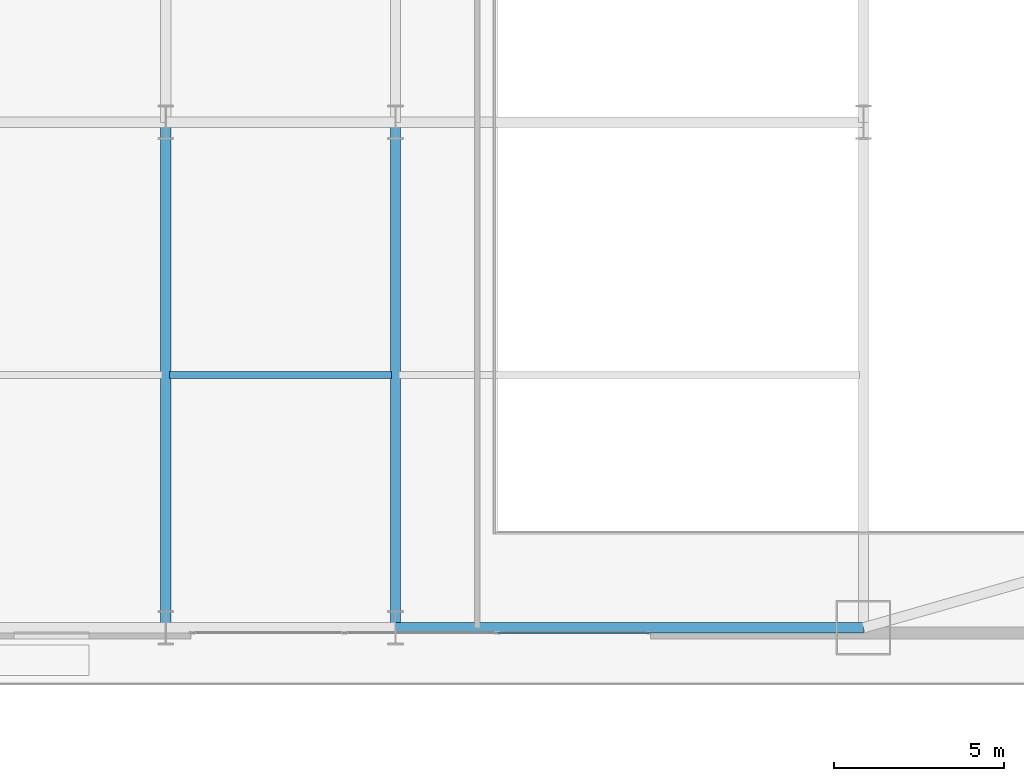
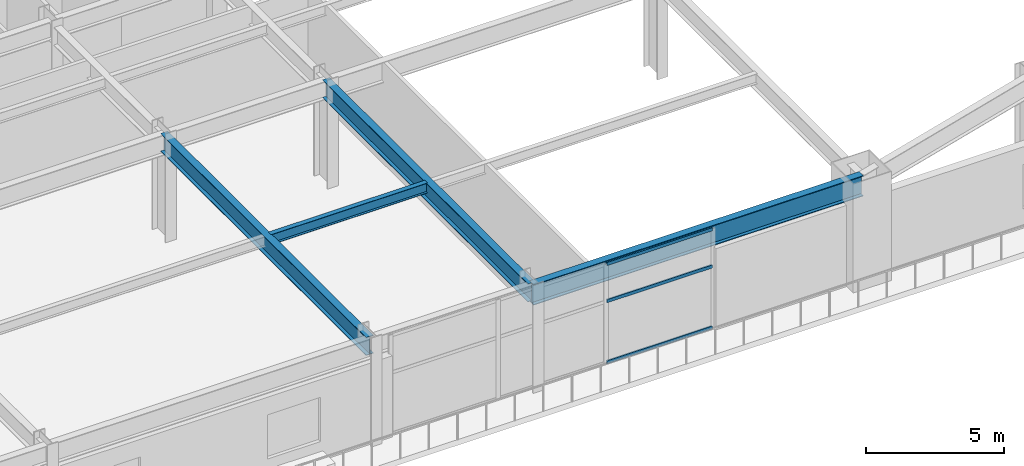
# One storey, part 5 of 28: 4 beams, 3 members, 1 element without a shape of its own.
"""IFC4 building model written with IfcOpenShell, lengths in metres."""

from ifc_helpers import new_model, si_unit, direction, frame, origin, origin_2d, place, context, subcontext, project, spatial, hollow_rectangle, i_section, extrude, material, layer, layer_set, material_profile, profile_set, type_object, element, aggregate, save


model = new_model("IFC4")

# Units and contexts
model_context = context("Model", 3, precision=1e-05, world=origin(), true_north=direction((0.0, 1.0)))
body_context = subcontext(model_context, "Body", "Model", "MODEL_VIEW")
ifc_project = project(units=[si_unit("LENGTHUNIT", "METRE"), si_unit("AREAUNIT", "SQUARE_METRE"), si_unit("VOLUMEUNIT", "CUBIC_METRE"), si_unit("PLANEANGLEUNIT", "RADIAN"), si_unit("MASSUNIT", "GRAM", prefix="KILO")], contexts=[model_context])

# Site, building, storey
site_placement = place(None, origin())
site = spatial("IfcSite", under=ifc_project, at=site_placement, CompositionType="ELEMENT")
building_placement = place(site_placement, origin())
building = spatial("IfcBuilding", under=site, at=building_placement, Name="Haevon Station Towers", CompositionType="ELEMENT")
storey_placement = place(building_placement, frame((0.0, 0.0, 10.800048828125)))
storey = spatial("IfcBuildingStorey", under=building, at=storey_placement, Name="L02", CompositionType="ELEMENT", Elevation=10.800048828125)

# Beams
ifc_material_1 = material(Name="Steel S355", Category="steel")
ifc_material_profile_1 = material_profile(ifc_material_1, i_section(OverallWidth=0.199951171875, OverallDepth=0.449951171875, WebThickness=0.009033203125, FlangeThickness=0.013916015625, at=origin_2d()), Name="H-450x200x9x14")
ifc_profile_set_1 = profile_set([ifc_material_profile_1], Name="Steel S355")
beam_type_1 = type_object("IfcBeamType", Name="BM-J450", PredefinedType="JOIST", material=ifc_profile_set_1)
beam_1_placement = place(storey_placement, frame((44.360107421875, 22.574951171875, 4.27490234375), z_axis=(1.0, 0.0, 0.0), x_axis=(0.0, 1.0, 0.0)))
element("IfcBeam", 1, at=beam_1_placement, inside=storey, type_object=beam_type_1, Name="BM-T1J-L02-01-04", PredefinedType="JOIST", context=body_context, shape_type="SweptSolid", body=[
    extrude(i_section(OverallWidth=0.199951171875, OverallDepth=0.449951171875, WebThickness=0.009033203125, FlangeThickness=0.013916015625, at=origin_2d()), origin(), (0.0, 0.0, 1.0), 6.52978515625),
])
ifc_material_profile_2 = material_profile(ifc_material_1, i_section(OverallWidth=0.300048828125, OverallDepth=0.800048828125, WebThickness=0.013916015625, FlangeThickness=0.02587890625, at=origin_2d()), Name="H-800x300x14x26")
ifc_profile_set_2 = profile_set([ifc_material_profile_2], Name="Steel S355")
beam_type_2 = type_object("IfcBeamType", Name="BM-PG800", PredefinedType="BEAM", material=ifc_profile_set_2)
for number, where, z_axis, x_axis, name in (
    (2, (44.25, 15.14990234375, 4.099853515625), (0.0, 1.0, 0.0), (-1.0, 0.0, 0.0), "BM-T1Y-L02-05-01"),
    (3, (51.0, 15.14990234375, 4.099853515625), (0.0, 1.0, 0.0), (-1.0, 0.0, 0.0), "BM-T1Y-L02-06-01"),
):
    element("IfcBeam", number, at=place(storey_placement, frame(where, z_axis=z_axis, x_axis=x_axis)), inside=storey, type_object=beam_type_2, Name=name, PredefinedType="BEAM", context=body_context, shape_type="SweptSolid", body=[
        extrude(i_section(OverallWidth=0.300048828125, OverallDepth=0.800048828125, WebThickness=0.013916015625, FlangeThickness=0.02587890625, at=origin_2d()), origin(), (0.0, 0.0, 1.0), 14.85009765625),
    ])
ifc_material_profile_3 = material_profile(ifc_material_1, i_section(OverallWidth=0.300048828125, OverallDepth=0.89990234375, WebThickness=0.01611328125, FlangeThickness=0.028076171875, at=origin_2d()), Name="H-900x300x16x28")
ifc_profile_set_3 = profile_set([ifc_material_profile_3], Name="Steel S355")
beam_type_3 = type_object("IfcBeamType", Name="BM-PG900", PredefinedType="BEAM", material=ifc_profile_set_3)
beam_2_placement = place(storey_placement, frame((51.0, 15.14990234375, 4.050048828125), z_axis=(1.0, 0.0, 0.0), x_axis=(0.0, 1.0, 0.0)))
element("IfcBeam", 4, at=beam_2_placement, inside=storey, type_object=beam_type_3, Name="BM-T1X-L02-01-06", PredefinedType="BEAM", context=body_context, shape_type="SweptSolid", body=[
    extrude(i_section(OverallWidth=0.300048828125, OverallDepth=0.89990234375, WebThickness=0.01611328125, FlangeThickness=0.028076171875, at=origin_2d()), origin(), (0.0, 0.0, 1.0), 13.75),
])

# Curtain wall, members
ifc_material_2 = material(Name="Anodised aluminium and Low-E double glazing", Category="aluminium")
ifc_layer = layer(ifc_material_2, 0.179931640625)
ifc_layer_set = layer_set([ifc_layer], Name="Anodised aluminium and Low-E double glazing")
curtain_wall_type = type_object("IfcCurtainWallType", Name="CW-SYS1", PredefinedType="NOTDEFINED", material=ifc_layer_set)
curtain_wall_placement = place(storey_placement, origin())
curtain_wall = element("IfcCurtainWall", 5, at=curtain_wall_placement, inside=storey, type_object=curtain_wall_type, Name="L02 Curtain Wall CW-POD-L02-S2", PredefinedType="NOTDEFINED")
ifc_material_3 = material(Name="Anodised aluminium 6063-T6", Category="aluminium")
ifc_material_profile_4 = material_profile(ifc_material_3, hollow_rectangle(XDim=0.06494140625, YDim=0.139892578125, WallThickness=0.00341796875, at=origin_2d()), Name="CWT-140x65x3.5")
ifc_profile_set_4 = profile_set([ifc_material_profile_4], Name="Anodised aluminium 6063-T6")
member_type = type_object("IfcMemberType", Name="CWT-140", PredefinedType="USERDEFINED", material=ifc_profile_set_4)
member_1_placement = place(storey_placement, frame((58.43505859375, 15.0, 0.032470703125), z_axis=(-1.0, 0.0, 0.0), x_axis=(0.0, -1.0, 0.0)))
member_1 = element("IfcMember", 6, at=member_1_placement, type_object=member_type, Name="CW-SYS1 transom 1.1", ObjectType="TRANSOM", PredefinedType="USERDEFINED", context=body_context, shape_type="SweptSolid", body=[
    extrude(hollow_rectangle(XDim=0.06494140625, YDim=0.139892578125, WallThickness=0.00341796875, at=origin_2d()), origin(), (0.0, 0.0, 1.0), 4.402587890625),
])
member_2_placement = place(storey_placement, frame((58.43505859375, 15.0, 2.72802734375), z_axis=(-1.0, 0.0, 0.0), x_axis=(0.0, -1.0, 0.0)))
member_2 = element("IfcMember", 7, at=member_2_placement, type_object=member_type, Name="CW-SYS1 transom 1.2", ObjectType="TRANSOM", PredefinedType="USERDEFINED", context=body_context, shape_type="SweptSolid", body=[
    extrude(hollow_rectangle(XDim=0.06494140625, YDim=0.139892578125, WallThickness=0.00341796875, at=origin_2d()), origin(), (0.0, 0.0, 1.0), 4.402587890625),
])
member_3_placement = place(storey_placement, frame((58.43505859375, 15.0, 4.367431640625), z_axis=(-1.0, 0.0, 0.0), x_axis=(0.0, -1.0, 0.0)))
member_3 = element("IfcMember", 8, at=member_3_placement, type_object=member_type, Name="CW-SYS1 transom 1.3", ObjectType="TRANSOM", PredefinedType="USERDEFINED", context=body_context, shape_type="SweptSolid", body=[
    extrude(hollow_rectangle(XDim=0.06494140625, YDim=0.139892578125, WallThickness=0.00341796875, at=origin_2d()), origin(), (0.0, 0.0, 1.0), 4.402587890625),
])
aggregate(curtain_wall, [member_1, member_2, member_3])

save(model, "model.ifc")
